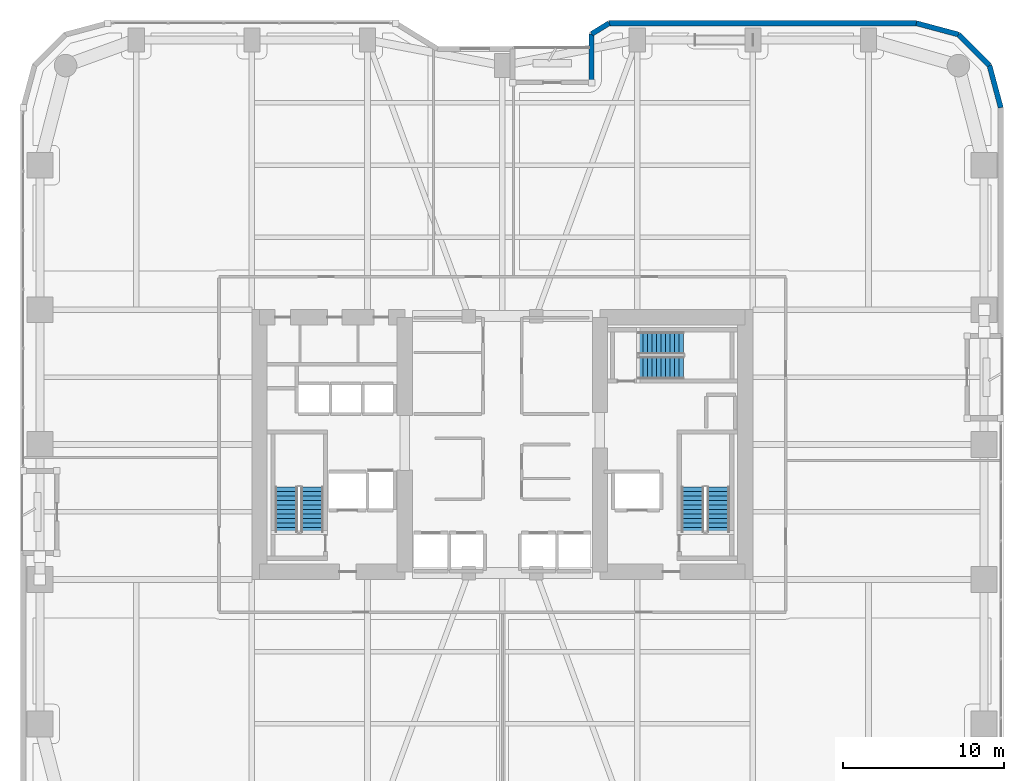
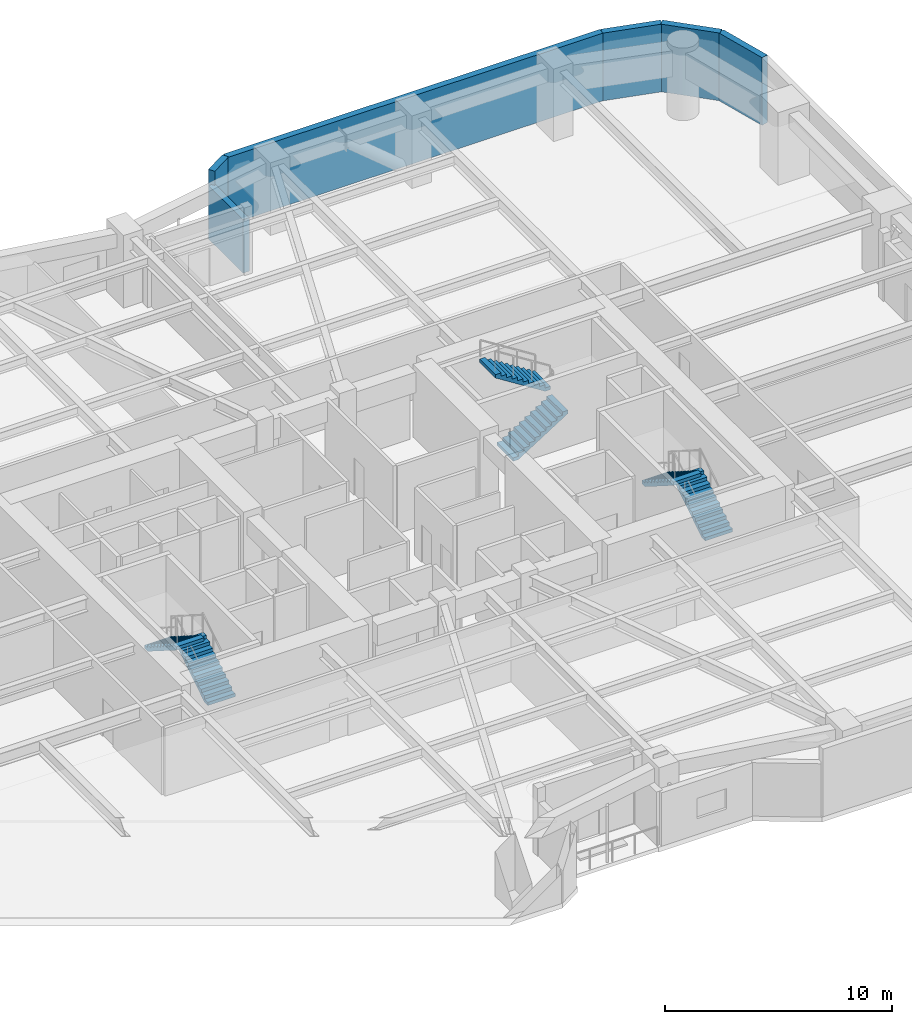
# One storey, part 25 of 29: 6 stair flights, 6 walls, 3 elements without a shape of their own.
"""IFC4 building model written with IfcOpenShell, lengths in metres."""

from ifc_helpers import new_model, si_unit, direction, frame, frame_2d, origin, place, context, subcontext, project, spatial, polyline, rectangle, outline, extrude, material, layer, layer_set, type_object, element, aggregate, save


model = new_model("IFC4")

# Units and contexts
model_context = context("Model", 3, precision=1e-05, world=origin(), true_north=direction((0.0, 1.0)))
body_context = subcontext(model_context, "Body", "Model", "MODEL_VIEW")
ifc_project = project(units=[si_unit("LENGTHUNIT", "METRE"), si_unit("AREAUNIT", "SQUARE_METRE"), si_unit("VOLUMEUNIT", "CUBIC_METRE"), si_unit("PLANEANGLEUNIT", "RADIAN"), si_unit("MASSUNIT", "GRAM", prefix="KILO")], contexts=[model_context])

# Site, building, storey
site_placement = place(None, origin())
site = spatial("IfcSite", under=ifc_project, at=site_placement, CompositionType="ELEMENT")
building_placement = place(site_placement, origin())
building = spatial("IfcBuilding", under=site, at=building_placement, Name="Kiyonajd Concourse Tower", CompositionType="ELEMENT")
storey_placement = place(building_placement, frame((0.0, 0.0, 29.39990234375)))
storey = spatial("IfcBuildingStorey", under=building, at=storey_placement, Name="L08", CompositionType="ELEMENT", Elevation=29.39990234375)

# Walls
ifc_material_1 = material(Name="Precast concrete C50/60", Category="concrete")
ifc_layer = layer(ifc_material_1, 0.320068359375)
ifc_layer_set = layer_set([ifc_layer], Name="Precast concrete C50/60")
wall_type = type_object("IfcWallType", Name="WL-EXT-320", PredefinedType="SOLIDWALL", material=ifc_layer_set)
wall_1_placement = place(storey_placement, frame((53.56005859375, 58.5400390625, 0.0), z_axis=(0.0, 0.0, 1.0), x_axis=(0.0, 1.0, 0.0)))
element("IfcWall", 1, at=wall_1_placement, inside=storey, type_object=wall_type, Name="L08 Exterior Concrete Frame Wall 14", PredefinedType="SOLIDWALL", context=body_context, shape_type="SweptSolid", body=[
    extrude(rectangle(XDim=3.032470703125, YDim=0.320068359375, at=frame_2d((1.51611328125, 0.0))), origin(), (0.0, 0.0, 1.0), 2.875),
])
wall_2_placement = place(storey_placement, frame((53.56005859375, 61.572509765625, 0.0), z_axis=(0.0, 0.0, 1.0), x_axis=(0.851776724646, 0.523904964045, 0.0)))
element("IfcWall", 2, at=wall_2_placement, inside=storey, type_object=wall_type, Name="L08 Exterior Concrete Frame Wall 15", PredefinedType="SOLIDWALL", context=body_context, shape_type="SweptSolid", body=[
    extrude(rectangle(XDim=1.274169921875, YDim=0.320068359375, at=frame_2d((0.63720703125, 0.0))), origin(), (0.0, 0.0, 1.0), 3.64013671875),
])
wall_3_placement = place(storey_placement, frame((54.645263671875, 62.239990234375, 0.0), z_axis=(0.0, 0.0, 1.0), x_axis=(1.0, 0.0, 0.0)))
element("IfcWall", 3, at=wall_3_placement, inside=storey, type_object=wall_type, Name="L08 Exterior Concrete Frame Wall 16", PredefinedType="SOLIDWALL", context=body_context, shape_type="SweptSolid", body=[
    extrude(rectangle(XDim=19.133544921875, YDim=0.320068359375, at=frame_2d((9.56689453125, 0.0))), origin(), (0.0, 0.0, 1.0), 3.64013671875),
])
wall_4_placement = place(storey_placement, frame((73.77880859375, 62.239990234375, 0.0), z_axis=(0.0, 0.0, 1.0), x_axis=(0.965964405026, -0.25867502435, 0.0)))
element("IfcWall", 4, at=wall_4_placement, inside=storey, type_object=wall_type, Name="L08 Exterior Concrete Frame Wall 17", PredefinedType="SOLIDWALL", context=body_context, shape_type="SweptSolid", body=[
    extrude(rectangle(XDim=2.7314453125, YDim=0.320068359375, at=frame_2d((1.36572265625, 0.0))), origin(), (0.0, 0.0, 1.0), 3.64013671875),
])
wall_5_placement = place(storey_placement, frame((76.417236328125, 61.533447265625, 0.0), z_axis=(0.0, 0.0, 1.0), x_axis=(0.707106781187, -0.707106781187, 0.0)))
element("IfcWall", 5, at=wall_5_placement, inside=storey, type_object=wall_type, Name="L08 Exterior Concrete Frame Wall 18", PredefinedType="SOLIDWALL", context=body_context, shape_type="SweptSolid", body=[
    extrude(rectangle(XDim=2.7099609375, YDim=0.320068359375, at=frame_2d((1.35498046875, 0.0))), origin(), (0.0, 0.0, 1.0), 3.64013671875),
])
wall_6_placement = place(storey_placement, frame((78.33349609375, 59.6171875, 0.0), z_axis=(0.0, 0.0, 1.0), x_axis=(0.25869736047, -0.965958423373, 0.0)))
element("IfcWall", 6, at=wall_6_placement, inside=storey, type_object=wall_type, Name="L08 Exterior Concrete Frame Wall 19", PredefinedType="SOLIDWALL", context=body_context, shape_type="SweptSolid", body=[
    extrude(rectangle(XDim=2.731201171875, YDim=0.320068359375, at=frame_2d((1.36572265625, 0.0))), origin(), (0.0, 0.0, 1.0), 3.64013671875),
])

# Stair, stair flights
ifc_material_2 = material(Name="Concrete C40/50", Category="concrete")
stair_type = type_object("IfcStairType", Name="ST-DLG-22R", PredefinedType="HALF_TURN_STAIR", material=ifc_material_2)
stair_1_placement = place(storey_placement, origin())
stair_1 = element("IfcStair", 7, at=stair_1_placement, inside=storey, type_object=stair_type, Name="L08 Protected Exit Stair ST1", PredefinedType="HALF_TURN_STAIR")
stair_flight_type = type_object("IfcStairFlightType", Name="SF-STR-22R", PredefinedType="STRAIGHT", material=ifc_material_2)
stair_flight_1_placement = place(storey_placement, frame((36.14990234375, 30.550048828125, 0.0), z_axis=(0.0, 0.0, 1.0), x_axis=(0.0, 1.0, 0.0)))
stair_flight_1 = element("IfcStairFlight", 8, at=stair_flight_1_placement, type_object=stair_flight_type, Name="ST1 flight 1", NumberOfRisers=11, NumberOfTreads=10, PredefinedType="STRAIGHT", RiserHeight=0.177272727, TreadLength=0.28, context=body_context, shape_type="SweptSolid", body=[
    extrude(outline(polyline([(0.0, 0.0), (0.0, 0.17724609375), (0.280029296875, 0.17724609375), (0.280029296875, 0.3544921875), (0.56005859375, 0.3544921875), (0.56005859375, 0.53173828125), (0.840087890625, 0.53173828125), (0.840087890625, 0.708984375), (1.1201171875, 0.708984375), (1.1201171875, 0.886474609375), (1.39990234375, 0.886474609375), (1.39990234375, 1.063720703125), (1.679931640625, 1.063720703125), (1.679931640625, 1.240966796875), (1.9599609375, 1.240966796875), (1.9599609375, 1.418212890625), (2.239990234375, 1.418212890625), (2.239990234375, 1.595458984375), (2.52001953125, 1.595458984375), (2.52001953125, 1.772705078125), (2.800048828125, 1.772705078125), (2.800048828125, 1.949951171875), (2.800048828125, 1.59521484375), (0.2802734375, 0.0), (0.0, 0.0)])), frame((0.0, 0.699951171875, 0.0), z_axis=(0.0, -1.0, 0.0), x_axis=(1.0, 0.0, 0.0)), (0.0, 0.0, 1.0), 1.39990234375),
])
stair_flight_2_placement = place(storey_placement, frame((34.550048828125, 33.35009765625, 1.9501953125), z_axis=(0.0, 0.0, 1.0), x_axis=(0.0, -1.0, 0.0)))
stair_flight_2 = element("IfcStairFlight", 9, at=stair_flight_2_placement, type_object=stair_flight_type, Name="ST1 flight 2", NumberOfRisers=11, NumberOfTreads=10, PredefinedType="STRAIGHT", RiserHeight=0.177272727, TreadLength=0.28, context=body_context, shape_type="SweptSolid", body=[
    extrude(outline(polyline([(0.0, 0.0), (0.0, 0.17724609375), (0.280029296875, 0.17724609375), (0.280029296875, 0.3544921875), (0.56005859375, 0.3544921875), (0.56005859375, 0.53173828125), (0.840087890625, 0.53173828125), (0.840087890625, 0.708984375), (1.1201171875, 0.708984375), (1.1201171875, 0.886474609375), (1.39990234375, 0.886474609375), (1.39990234375, 1.063720703125), (1.679931640625, 1.063720703125), (1.679931640625, 1.240966796875), (1.9599609375, 1.240966796875), (1.9599609375, 1.418212890625), (2.239990234375, 1.418212890625), (2.239990234375, 1.595458984375), (2.52001953125, 1.595458984375), (2.52001953125, 1.772705078125), (2.800048828125, 1.772705078125), (2.800048828125, 1.949951171875), (2.800048828125, 1.59521484375), (0.2802734375, 0.0), (0.0, 0.0)])), frame((0.0, 0.699951171875, 0.0), z_axis=(0.0, -1.0, 0.0), x_axis=(1.0, 0.0, 0.0)), (0.0, 0.0, 1.0), 1.39990234375),
])
aggregate(stair_1, [stair_flight_1, stair_flight_2])

stair_2_placement = place(storey_placement, origin())
stair_2 = element("IfcStair", 10, at=stair_2_placement, inside=storey, type_object=stair_type, Name="L08 Protected Exit Stair ST2", PredefinedType="HALF_TURN_STAIR")
stair_flight_3_placement = place(storey_placement, frame((61.449951171875, 30.550048828125, 0.0), z_axis=(0.0, 0.0, 1.0), x_axis=(0.0, 1.0, 0.0)))
stair_flight_3 = element("IfcStairFlight", 11, at=stair_flight_3_placement, type_object=stair_flight_type, Name="ST2 flight 1", NumberOfRisers=11, NumberOfTreads=10, PredefinedType="STRAIGHT", RiserHeight=0.177272727, TreadLength=0.28, context=body_context, shape_type="SweptSolid", body=[
    extrude(outline(polyline([(0.0, 0.0), (0.0, 0.17724609375), (0.280029296875, 0.17724609375), (0.280029296875, 0.3544921875), (0.56005859375, 0.3544921875), (0.56005859375, 0.53173828125), (0.840087890625, 0.53173828125), (0.840087890625, 0.708984375), (1.1201171875, 0.708984375), (1.1201171875, 0.886474609375), (1.39990234375, 0.886474609375), (1.39990234375, 1.063720703125), (1.679931640625, 1.063720703125), (1.679931640625, 1.240966796875), (1.9599609375, 1.240966796875), (1.9599609375, 1.418212890625), (2.239990234375, 1.418212890625), (2.239990234375, 1.595458984375), (2.52001953125, 1.595458984375), (2.52001953125, 1.772705078125), (2.800048828125, 1.772705078125), (2.800048828125, 1.949951171875), (2.800048828125, 1.59521484375), (0.2802734375, 0.0), (0.0, 0.0)])), frame((0.0, 0.699951171875, 0.0), z_axis=(0.0, -1.0, 0.0), x_axis=(1.0, 0.0, 0.0)), (0.0, 0.0, 1.0), 1.39990234375),
])
stair_flight_4_placement = place(storey_placement, frame((59.85009765625, 33.35009765625, 1.9501953125), z_axis=(0.0, 0.0, 1.0), x_axis=(0.0, -1.0, 0.0)))
stair_flight_4 = element("IfcStairFlight", 12, at=stair_flight_4_placement, type_object=stair_flight_type, Name="ST2 flight 2", NumberOfRisers=11, NumberOfTreads=10, PredefinedType="STRAIGHT", RiserHeight=0.177272727, TreadLength=0.28, context=body_context, shape_type="SweptSolid", body=[
    extrude(outline(polyline([(0.0, 0.0), (0.0, 0.17724609375), (0.280029296875, 0.17724609375), (0.280029296875, 0.3544921875), (0.56005859375, 0.3544921875), (0.56005859375, 0.53173828125), (0.840087890625, 0.53173828125), (0.840087890625, 0.708984375), (1.1201171875, 0.708984375), (1.1201171875, 0.886474609375), (1.39990234375, 0.886474609375), (1.39990234375, 1.063720703125), (1.679931640625, 1.063720703125), (1.679931640625, 1.240966796875), (1.9599609375, 1.240966796875), (1.9599609375, 1.418212890625), (2.239990234375, 1.418212890625), (2.239990234375, 1.595458984375), (2.52001953125, 1.595458984375), (2.52001953125, 1.772705078125), (2.800048828125, 1.772705078125), (2.800048828125, 1.949951171875), (2.800048828125, 1.59521484375), (0.2802734375, 0.0), (0.0, 0.0)])), frame((0.0, 0.699951171875, 0.0), z_axis=(0.0, -1.0, 0.0), x_axis=(1.0, 0.0, 0.0)), (0.0, 0.0, 1.0), 1.39990234375),
])
aggregate(stair_2, [stair_flight_3, stair_flight_4])

stair_3_placement = place(storey_placement, origin())
stair_3 = element("IfcStair", 13, at=stair_3_placement, inside=storey, type_object=stair_type, Name="L08 Protected Exit Stair ST3", PredefinedType="HALF_TURN_STAIR")
stair_flight_5_placement = place(storey_placement, frame((56.47998046875, 40.780029296875, 0.0), z_axis=(0.0, 0.0, 1.0), x_axis=(1.0, 0.0, 0.0)))
stair_flight_5 = element("IfcStairFlight", 14, at=stair_flight_5_placement, type_object=stair_flight_type, Name="ST3 flight 1", NumberOfRisers=11, NumberOfTreads=10, PredefinedType="STRAIGHT", RiserHeight=0.177272727, TreadLength=0.28, context=body_context, shape_type="SweptSolid", body=[
    extrude(outline(polyline([(0.0, 0.0), (0.0, 0.17724609375), (0.280029296875, 0.17724609375), (0.280029296875, 0.3544921875), (0.56005859375, 0.3544921875), (0.56005859375, 0.53173828125), (0.840087890625, 0.53173828125), (0.840087890625, 0.708984375), (1.1201171875, 0.708984375), (1.1201171875, 0.886474609375), (1.39990234375, 0.886474609375), (1.39990234375, 1.063720703125), (1.679931640625, 1.063720703125), (1.679931640625, 1.240966796875), (1.9599609375, 1.240966796875), (1.9599609375, 1.418212890625), (2.239990234375, 1.418212890625), (2.239990234375, 1.595458984375), (2.52001953125, 1.595458984375), (2.52001953125, 1.772705078125), (2.800048828125, 1.772705078125), (2.800048828125, 1.949951171875), (2.800048828125, 1.59521484375), (0.2802734375, 0.0), (0.0, 0.0)])), frame((0.0, 0.699951171875, 0.0), z_axis=(0.0, -1.0, 0.0), x_axis=(1.0, 0.0, 0.0)), (0.0, 0.0, 1.0), 1.39990234375),
])
stair_flight_6_placement = place(storey_placement, frame((59.280029296875, 42.320068359375, 1.9501953125), z_axis=(0.0, 0.0, 1.0), x_axis=(-1.0, 0.0, 0.0)))
stair_flight_6 = element("IfcStairFlight", 15, at=stair_flight_6_placement, type_object=stair_flight_type, Name="ST3 flight 2", NumberOfRisers=11, NumberOfTreads=10, PredefinedType="STRAIGHT", RiserHeight=0.177272727, TreadLength=0.28, context=body_context, shape_type="SweptSolid", body=[
    extrude(outline(polyline([(0.0, 0.0), (0.0, 0.17724609375), (0.280029296875, 0.17724609375), (0.280029296875, 0.3544921875), (0.56005859375, 0.3544921875), (0.56005859375, 0.53173828125), (0.840087890625, 0.53173828125), (0.840087890625, 0.708984375), (1.1201171875, 0.708984375), (1.1201171875, 0.886474609375), (1.39990234375, 0.886474609375), (1.39990234375, 1.063720703125), (1.679931640625, 1.063720703125), (1.679931640625, 1.240966796875), (1.9599609375, 1.240966796875), (1.9599609375, 1.418212890625), (2.239990234375, 1.418212890625), (2.239990234375, 1.595458984375), (2.52001953125, 1.595458984375), (2.52001953125, 1.772705078125), (2.800048828125, 1.772705078125), (2.800048828125, 1.949951171875), (2.800048828125, 1.59521484375), (0.2802734375, 0.0), (0.0, 0.0)])), frame((0.0, 0.699951171875, 0.0), z_axis=(0.0, -1.0, 0.0), x_axis=(1.0, 0.0, 0.0)), (0.0, 0.0, 1.0), 1.39990234375),
])
aggregate(stair_3, [stair_flight_5, stair_flight_6])

save(model, "model.ifc")
